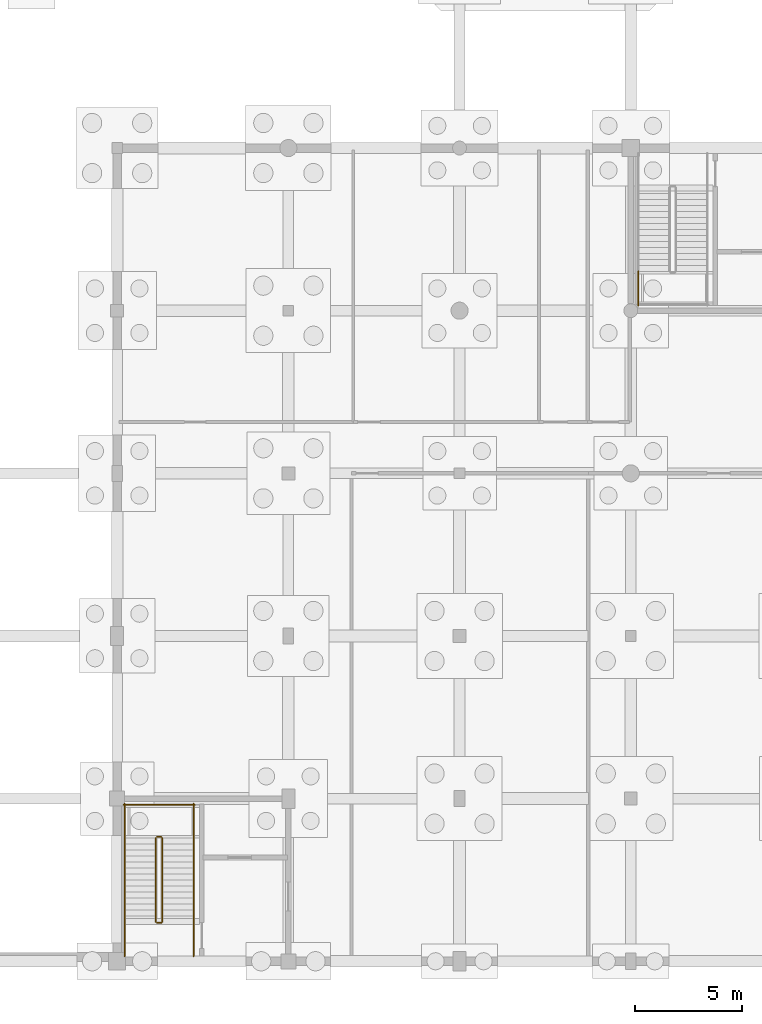
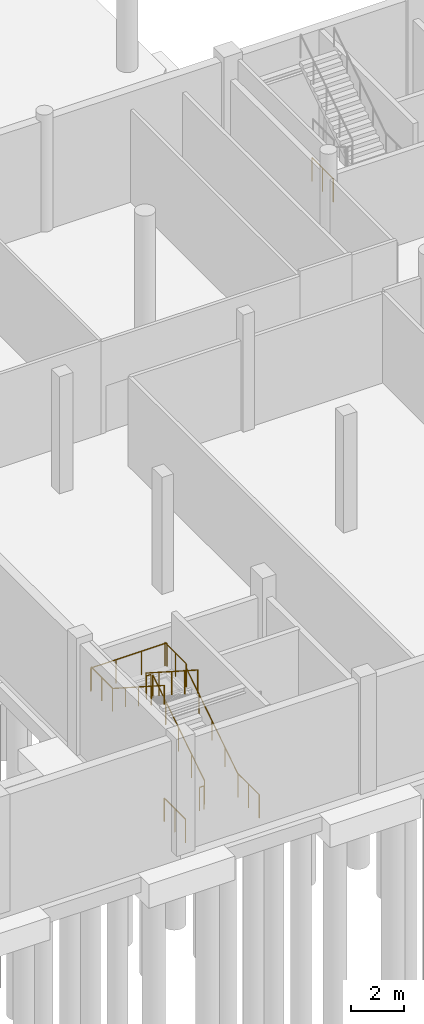
# One storey, part 41 of 44: 12 railings.
"""IFC4 building model written with IfcOpenShell, lengths in metres."""

from ifc_helpers import new_model, si_unit, direction, frame, origin, origin_2d, place, context, subcontext, project, spatial, circle, extrude, material, type_object, element, save


model = new_model("IFC4")

# Units and contexts
model_context = context("Model", 3, precision=1e-05, world=origin(), true_north=direction((0.0, 1.0)))
body_context = subcontext(model_context, "Body", "Model", "MODEL_VIEW")
ifc_project = project(units=[si_unit("LENGTHUNIT", "METRE"), si_unit("AREAUNIT", "SQUARE_METRE"), si_unit("VOLUMEUNIT", "CUBIC_METRE"), si_unit("PLANEANGLEUNIT", "RADIAN"), si_unit("MASSUNIT", "GRAM", prefix="KILO")], contexts=[model_context])

# Site, building, storey
site_placement = place(None, origin())
site = spatial("IfcSite", under=ifc_project, at=site_placement, CompositionType="ELEMENT")
building_placement = place(site_placement, origin())
building = spatial("IfcBuilding", under=site, at=building_placement, Name="Khelvaren Railside Concert Hall", CompositionType="ELEMENT")
storey_placement = place(building_placement, frame((0.0, 0.0, -5.39990234375)))
storey = spatial("IfcBuildingStorey", under=building, at=storey_placement, Name="B1", CompositionType="ELEMENT", Elevation=-5.39990234375)

# Railings
ifc_material_1 = material(Name="Painted architectural steel", Category="steel")
railing_type_1 = type_object("IfcRailingType", Name="GRD86", PredefinedType="GUARDRAIL", material=ifc_material_1)
railing_1_placement = place(storey_placement, frame((146.110107421875, 1.840087890625, 0.179931640625)))
element("IfcRailing", 1, at=railing_1_placement, inside=storey, type_object=railing_type_1, Name="B1 ST-03 stair guard 1", PredefinedType="GUARDRAIL", context=body_context, shape_type="SweptSolid", body=[
    extrude(circle(Radius=0.02392578125, at=origin_2d()), frame((0.0, 0.0, 1.076171875), z_axis=(0.0, 0.841171666519, 0.540768182723), x_axis=(-1.0, 0.0, 0.0)), (0.0, 0.0, 1.0), 4.66015625),
    extrude(circle(Radius=0.02099609375, at=origin_2d()), origin(), (0.0, 0.0, 1.0), 1.052001953125),
    extrude(circle(Radius=0.02099609375, at=origin_2d()), frame((0.0, 0.97998046875, 0.6298828125)), (0.0, 0.0, 1.0), 1.052001953125),
    extrude(circle(Radius=0.02099609375, at=origin_2d()), frame((0.0, 1.9599609375, 1.260009765625)), (0.0, 0.0, 1.0), 1.052001953125),
    extrude(circle(Radius=0.02099609375, at=origin_2d()), frame((0.0, 2.93994140625, 1.89013671875)), (0.0, 0.0, 1.0), 1.052001953125),
    extrude(circle(Radius=0.02099609375, at=origin_2d()), frame((0.0, 3.919921875, 2.52001953125)), (0.0, 0.0, 1.0), 1.052001953125),
])
railing_2_placement = place(storey_placement, frame((146.06005859375, 5.81005859375, 2.699951171875)))
element("IfcRailing", 2, at=railing_2_placement, inside=storey, type_object=railing_type_1, Name="B1 ST-03 stair guard 2", PredefinedType="GUARDRAIL", context=body_context, shape_type="SweptSolid", body=[
    extrude(circle(Radius=0.02392578125, at=origin_2d()), frame((0.0, 0.0, 1.076171875), z_axis=(-1.0, 0.0, 0.0), x_axis=(0.0, -1.0, 0.0)), (0.0, 0.0, 1.0), 0.199951171875),
    extrude(circle(Radius=0.02099609375, at=origin_2d()), origin(), (0.0, 0.0, 1.0), 1.052001953125),
    extrude(circle(Radius=0.02099609375, at=origin_2d()), frame((-0.199951171875, 0.0, 0.0)), (0.0, 0.0, 1.0), 1.052001953125),
])
for number, where, name in (
    (3, (147.570068359375, 5.760009765625, 2.699951171875), "B1 ST-03 stair guard 3"),
    (4, (144.35009765625, 5.760009765625, 2.699951171875), "B1 ST-03 stair guard 4"),
):
    element("IfcRailing", number, at=place(storey_placement, frame(where)), inside=storey, type_object=railing_type_1, Name=name, PredefinedType="GUARDRAIL", context=body_context, shape_type="SweptSolid", body=[
        extrude(circle(Radius=0.02392578125, at=origin_2d()), frame((0.0, 0.0, 1.076171875), z_axis=(0.0, 1.0, 0.0), x_axis=(-1.0, 0.0, 0.0)), (0.0, 0.0, 1.0), 1.60009765625),
        extrude(circle(Radius=0.02099609375, at=origin_2d()), origin(), (0.0, 0.0, 1.0), 1.052001953125),
        extrude(circle(Radius=0.02099609375, at=origin_2d()), frame((0.0, 0.800048828125, 0.0)), (0.0, 0.0, 1.0), 1.052001953125),
        extrude(circle(Radius=0.02099609375, at=origin_2d()), frame((0.0, 1.60009765625, 0.0)), (0.0, 0.0, 1.0), 1.052001953125),
    ])
railing_3_placement = place(storey_placement, frame((147.6201171875, 7.31005859375, 2.699951171875)))
element("IfcRailing", 5, at=railing_3_placement, inside=storey, type_object=railing_type_1, Name="B1 ST-03 stair guard 5", PredefinedType="GUARDRAIL", context=body_context, shape_type="SweptSolid", body=[
    extrude(circle(Radius=0.02392578125, at=origin_2d()), frame((0.0, 0.0, 1.076171875), z_axis=(-1.0, 0.0, 0.0), x_axis=(0.0, -1.0, 0.0)), (0.0, 0.0, 1.0), 3.320068359375),
    extrude(circle(Radius=0.02099609375, at=origin_2d()), origin(), (0.0, 0.0, 1.0), 1.052001953125),
    extrude(circle(Radius=0.02099609375, at=origin_2d()), frame((-1.106689453125, 0.0, 0.0)), (0.0, 0.0, 1.0), 1.052001953125),
    extrude(circle(Radius=0.02099609375, at=origin_2d()), frame((-2.21337890625, 0.0, 0.0)), (0.0, 0.0, 1.0), 1.052001953125),
    extrude(circle(Radius=0.02099609375, at=origin_2d()), frame((-3.320068359375, 0.0, 0.0)), (0.0, 0.0, 1.0), 1.052001953125),
])
railing_4_placement = place(storey_placement, frame((145.81005859375, 5.760009765625, 2.8798828125)))
element("IfcRailing", 6, at=railing_4_placement, inside=storey, type_object=railing_type_1, Name="B1 ST-03 stair guard 6", PredefinedType="GUARDRAIL", context=body_context, shape_type="SweptSolid", body=[
    extrude(circle(Radius=0.02392578125, at=origin_2d()), frame((0.0, 0.0, 1.076171875), z_axis=(0.0, -0.841171666519, 0.540768182723), x_axis=(1.0, 0.0, 0.0)), (0.0, 0.0, 1.0), 4.66015625),
    extrude(circle(Radius=0.02099609375, at=origin_2d()), origin(), (0.0, 0.0, 1.0), 1.052001953125),
    extrude(circle(Radius=0.02099609375, at=origin_2d()), frame((0.0, -0.97998046875, 0.6298828125)), (0.0, 0.0, 1.0), 1.052001953125),
    extrude(circle(Radius=0.02099609375, at=origin_2d()), frame((0.0, -1.9599609375, 1.260009765625)), (0.0, 0.0, 1.0), 1.052001953125),
    extrude(circle(Radius=0.02099609375, at=origin_2d()), frame((0.0, -2.93994140625, 1.89013671875)), (0.0, 0.0, 1.0), 1.052001953125),
    extrude(circle(Radius=0.02099609375, at=origin_2d()), frame((0.0, -3.919921875, 2.52001953125)), (0.0, 0.0, 1.0), 1.052001953125),
])
railing_5_placement = place(storey_placement, frame((146.06005859375, 1.7900390625, 0.0)))
element("IfcRailing", 7, at=railing_5_placement, inside=storey, type_object=railing_type_1, Name="B1 ST-03 stair guard 7", PredefinedType="GUARDRAIL", context=body_context, shape_type="SweptSolid", body=[
    extrude(circle(Radius=0.02392578125, at=origin_2d()), frame((0.0, 0.0, 1.076171875), z_axis=(-1.0, 0.0, 0.0), x_axis=(0.0, -1.0, 0.0)), (0.0, 0.0, 1.0), 0.199951171875),
    extrude(circle(Radius=0.02099609375, at=origin_2d()), origin(), (0.0, 0.0, 1.0), 1.052001953125),
    extrude(circle(Radius=0.02099609375, at=origin_2d()), frame((-0.199951171875, 0.0, 0.0)), (0.0, 0.0, 1.0), 1.052001953125),
])
for number, where, name in (
    (8, (147.570068359375, 0.239990234375, 0.0), "B1 ST-03 stair guard 8"),
    (9, (144.35009765625, 0.239990234375, 0.0), "B1 ST-03 stair guard 9"),
):
    element("IfcRailing", number, at=place(storey_placement, frame(where)), inside=storey, type_object=railing_type_1, Name=name, PredefinedType="GUARDRAIL", context=body_context, shape_type="SweptSolid", body=[
        extrude(circle(Radius=0.02392578125, at=origin_2d()), frame((0.0, 0.0, 1.076171875), z_axis=(0.0, 1.0, 0.0), x_axis=(-1.0, 0.0, 0.0)), (0.0, 0.0, 1.0), 1.60009765625),
        extrude(circle(Radius=0.02099609375, at=origin_2d()), origin(), (0.0, 0.0, 1.0), 1.052001953125),
        extrude(circle(Radius=0.02099609375, at=origin_2d()), frame((0.0, 0.800048828125, 0.0)), (0.0, 0.0, 1.0), 1.052001953125),
        extrude(circle(Radius=0.02099609375, at=origin_2d()), frame((0.0, 1.60009765625, 0.0)), (0.0, 0.0, 1.0), 1.052001953125),
    ])
railing_6_placement = place(storey_placement, frame((168.35009765625, 32.239990234375, 2.699951171875)))
element("IfcRailing", 10, at=railing_6_placement, inside=storey, type_object=railing_type_1, Name="B1 ST-04 stair guard 3", PredefinedType="GUARDRAIL", context=body_context, shape_type="SweptSolid", body=[
    extrude(circle(Radius=0.02392578125, at=origin_2d()), frame((0.0, 0.0, 1.076171875), z_axis=(0.0, -1.0, 0.0), x_axis=(1.0, 0.0, 0.0)), (0.0, 0.0, 1.0), 1.60009765625),
    extrude(circle(Radius=0.02099609375, at=origin_2d()), origin(), (0.0, 0.0, 1.0), 1.052001953125),
    extrude(circle(Radius=0.02099609375, at=origin_2d()), frame((0.0, -0.800048828125, 0.0)), (0.0, 0.0, 1.0), 1.052001953125),
    extrude(circle(Radius=0.02099609375, at=origin_2d()), frame((0.0, -1.60009765625, 0.0)), (0.0, 0.0, 1.0), 1.052001953125),
])
ifc_material_2 = material(Name="Brushed stainless steel Grade 316", Category="steel")
railing_type_2 = type_object("IfcRailingType", Name="HRL59", PredefinedType="HANDRAIL", material=ifc_material_2)
railing_7_placement = place(storey_placement, frame((147.570068359375, 1.840087890625, 0.179931640625)))
element("IfcRailing", 11, at=railing_7_placement, inside=storey, type_object=railing_type_2, Name="B1 ST-03 stair handrail 1", PredefinedType="HANDRAIL", context=body_context, shape_type="SweptSolid", body=[
    extrude(circle(Radius=0.02392578125, at=origin_2d()), frame((0.0, 0.0, 0.8759765625), z_axis=(0.0, 0.841171666519, 0.540768182723), x_axis=(-1.0, 0.0, 0.0)), (0.0, 0.0, 1.0), 4.66015625),
    extrude(circle(Radius=0.02099609375, at=origin_2d()), origin(), (0.0, 0.0, 1.0), 0.851806640625),
    extrude(circle(Radius=0.02099609375, at=origin_2d()), frame((0.0, 0.97998046875, 0.6298828125)), (0.0, 0.0, 1.0), 0.851806640625),
    extrude(circle(Radius=0.02099609375, at=origin_2d()), frame((0.0, 1.9599609375, 1.260009765625)), (0.0, 0.0, 1.0), 0.851806640625),
    extrude(circle(Radius=0.02099609375, at=origin_2d()), frame((0.0, 2.93994140625, 1.89013671875)), (0.0, 0.0, 1.0), 0.851806640625),
    extrude(circle(Radius=0.02099609375, at=origin_2d()), frame((0.0, 3.919921875, 2.52001953125)), (0.0, 0.0, 1.0), 0.851806640625),
])
railing_8_placement = place(storey_placement, frame((144.35009765625, 5.760009765625, 2.8798828125)))
element("IfcRailing", 12, at=railing_8_placement, inside=storey, type_object=railing_type_2, Name="B1 ST-03 stair handrail 2", PredefinedType="HANDRAIL", context=body_context, shape_type="SweptSolid", body=[
    extrude(circle(Radius=0.02392578125, at=origin_2d()), frame((0.0, 0.0, 0.8759765625), z_axis=(0.0, -0.841171666519, 0.540768182723), x_axis=(1.0, 0.0, 0.0)), (0.0, 0.0, 1.0), 4.66015625),
    extrude(circle(Radius=0.02099609375, at=origin_2d()), origin(), (0.0, 0.0, 1.0), 0.851806640625),
    extrude(circle(Radius=0.02099609375, at=origin_2d()), frame((0.0, -0.97998046875, 0.6298828125)), (0.0, 0.0, 1.0), 0.851806640625),
    extrude(circle(Radius=0.02099609375, at=origin_2d()), frame((0.0, -1.9599609375, 1.260009765625)), (0.0, 0.0, 1.0), 0.851806640625),
    extrude(circle(Radius=0.02099609375, at=origin_2d()), frame((0.0, -2.93994140625, 1.89013671875)), (0.0, 0.0, 1.0), 0.851806640625),
    extrude(circle(Radius=0.02099609375, at=origin_2d()), frame((0.0, -3.919921875, 2.52001953125)), (0.0, 0.0, 1.0), 0.851806640625),
])

save(model, "model.ifc")
